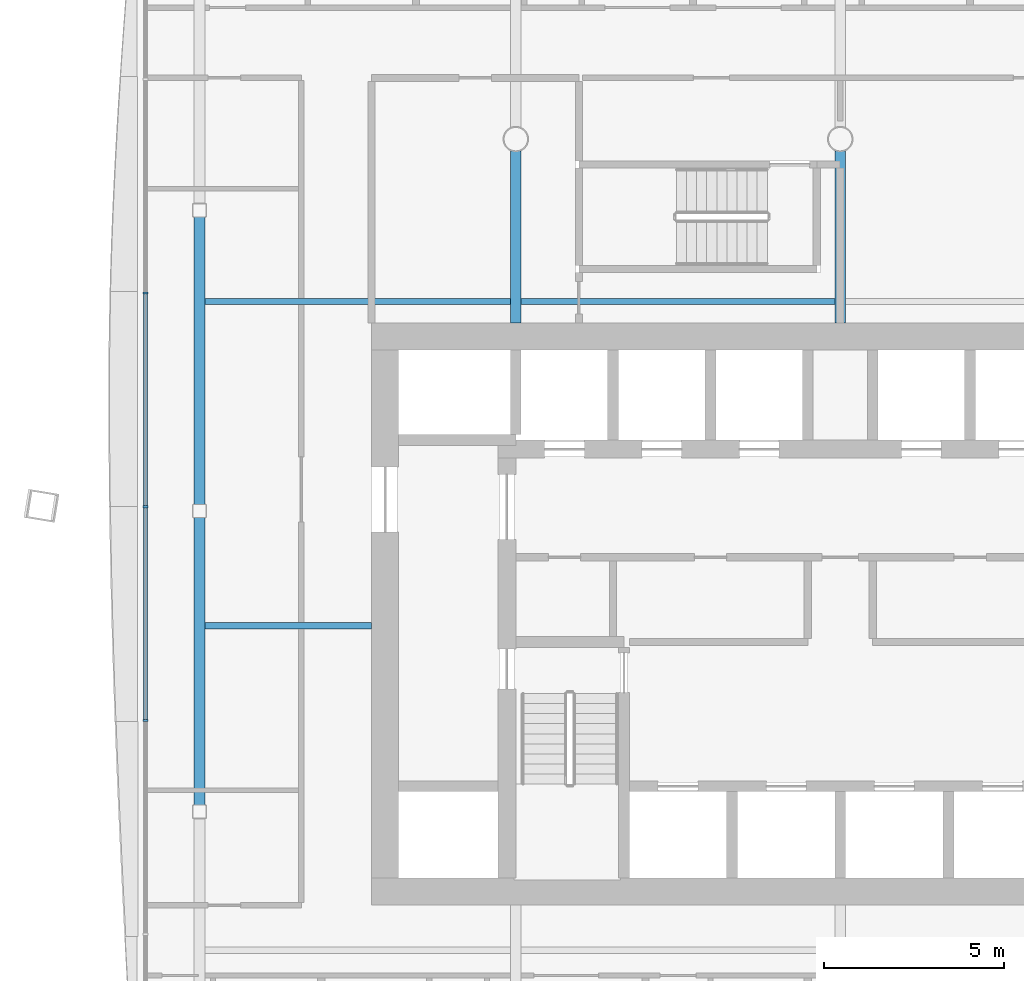
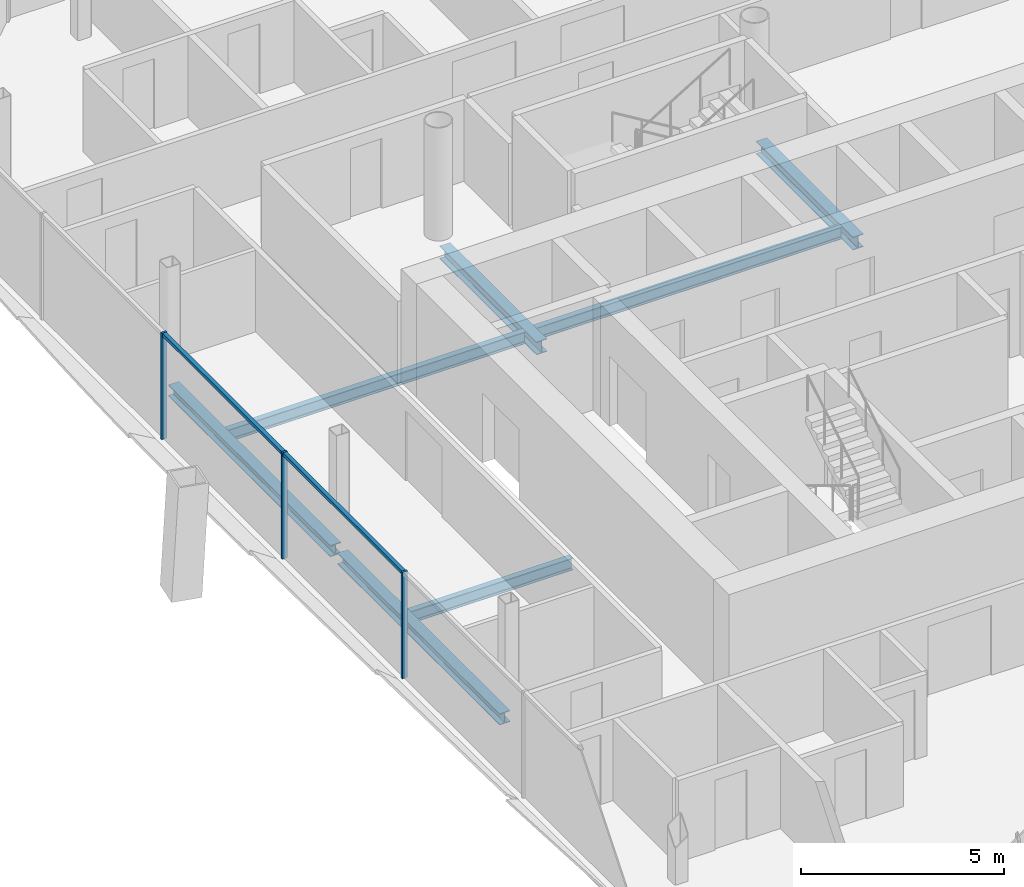
# One storey, part 5 of 18: 7 beams, 5 members, 1 element without a shape of its own.
"""IFC4 building model written with IfcOpenShell, lengths in metres."""

from ifc_helpers import new_model, si_unit, direction, frame, origin, origin_2d, place, context, subcontext, project, spatial, rectangle, i_section, extrude, material, material_profile, profile_set, type_object, element, aggregate, save


model = new_model("IFC4")

# Units and contexts
model_context = context("Model", 3, precision=1e-05, world=origin(), true_north=direction((0.0, 1.0)))
body_context = subcontext(model_context, "Body", "Model", "MODEL_VIEW")
ifc_project = project(units=[si_unit("LENGTHUNIT", "METRE"), si_unit("AREAUNIT", "SQUARE_METRE"), si_unit("VOLUMEUNIT", "CUBIC_METRE"), si_unit("PLANEANGLEUNIT", "RADIAN"), si_unit("MASSUNIT", "GRAM", prefix="KILO")], contexts=[model_context])

# Site, building, storey
site_placement = place(None, origin())
site = spatial("IfcSite", under=ifc_project, at=site_placement, CompositionType="ELEMENT")
building_placement = place(site_placement, origin())
building = spatial("IfcBuilding", under=site, at=building_placement, Name="Tskaro Facet Tower", CompositionType="ELEMENT")
storey_placement = place(building_placement, frame((0.0, 0.0, 145.300048828125)))
storey = spatial("IfcBuildingStorey", under=building, at=storey_placement, Name="L35", CompositionType="ELEMENT", Elevation=145.300048828125)

# Curtain wall, members
ifc_material_1 = material(Name="Bronze anodised aluminium 6063-T6", Category="aluminium")
curtain_wall_type = type_object("IfcCurtainWallType", Name="Bronze hotel curtain wall (FW2)", PredefinedType="NOTDEFINED", material=ifc_material_1)
curtain_wall_placement = place(storey_placement, origin())
curtain_wall = element("IfcCurtainWall", 1, at=curtain_wall_placement, inside=storey, type_object=curtain_wall_type, Name="FW2 west facet L35", PredefinedType="NOTDEFINED")
ifc_material_profile_1 = material_profile(ifc_material_1, rectangle(XDim=0.06005859375, YDim=0.14990234375, at=origin_2d()), Name="Mullion 60x150")
ifc_profile_set_1 = profile_set([ifc_material_profile_1], Name="Bronze anodised aluminium 6063-T6")
member_type_1 = type_object("IfcMemberType", Name="FW2 bronze mullion 60x150", PredefinedType="MULLION", material=ifc_profile_set_1)
member_1_placement = place(storey_placement, frame((-19.27197265625, 4.733642578125, 0.0), z_axis=(0.0, 0.0, 1.0), x_axis=(0.0, -1.0, 0.0)))
member_1 = element("IfcMember", 2, at=member_1_placement, type_object=member_type_1, Name="FW2 west mullion 2", PredefinedType="MULLION", context=body_context, shape_type="SweptSolid", body=[
    extrude(rectangle(XDim=0.06005859375, YDim=0.14990234375, at=origin_2d()), origin(), (0.0, 0.0, 1.0), 3.199951171875),
])
member_2_placement = place(storey_placement, frame((-19.27197265625, -1.195556640625, 0.0), z_axis=(0.0, 0.0, 1.0), x_axis=(0.0, -1.0, 0.0)))
member_2 = element("IfcMember", 3, at=member_2_placement, type_object=member_type_1, Name="FW2 west mullion 3", PredefinedType="MULLION", context=body_context, shape_type="SweptSolid", body=[
    extrude(rectangle(XDim=0.06005859375, YDim=0.14990234375, at=origin_2d()), origin(), (0.0, 0.0, 1.0), 3.199951171875),
])
member_3_placement = place(storey_placement, frame((-19.27197265625, -7.124755859375, 0.0), z_axis=(0.0, 0.0, 1.0), x_axis=(0.0, -1.0, 0.0)))
member_3 = element("IfcMember", 4, at=member_3_placement, type_object=member_type_1, Name="FW2 west mullion 4", PredefinedType="MULLION", context=body_context, shape_type="SweptSolid", body=[
    extrude(rectangle(XDim=0.06005859375, YDim=0.14990234375, at=origin_2d()), origin(), (0.0, 0.0, 1.0), 3.199951171875),
])
ifc_material_profile_2 = material_profile(ifc_material_1, rectangle(XDim=0.110107421875, YDim=0.10009765625, at=origin_2d()), Name="Transom 110x100")
ifc_profile_set_2 = profile_set([ifc_material_profile_2], Name="Bronze anodised aluminium 6063-T6")
member_type_2 = type_object("IfcMemberType", Name="FW2 bronze transom 110x100", PredefinedType="USERDEFINED", material=ifc_profile_set_2)
member_4_placement = place(storey_placement, frame((-19.27197265625, 4.70361328125, 3.14990234375), z_axis=(0.0, -1.0, 0.0), x_axis=(1.0, 0.0, 0.0)))
member_4 = element("IfcMember", 5, at=member_4_placement, type_object=member_type_2, Name="FW2 west transom 3.1", ObjectType="TRANSOM", PredefinedType="USERDEFINED", context=body_context, shape_type="SweptSolid", body=[
    extrude(rectangle(XDim=0.110107421875, YDim=0.10009765625, at=origin_2d()), origin(), (0.0, 0.0, 1.0), 5.869140625),
])
member_5_placement = place(storey_placement, frame((-19.27197265625, -1.2255859375, 3.14990234375), z_axis=(0.0, -1.0, 0.0), x_axis=(1.0, 0.0, 0.0)))
member_5 = element("IfcMember", 6, at=member_5_placement, type_object=member_type_2, Name="FW2 west transom 4.1", ObjectType="TRANSOM", PredefinedType="USERDEFINED", context=body_context, shape_type="SweptSolid", body=[
    extrude(rectangle(XDim=0.110107421875, YDim=0.10009765625, at=origin_2d()), origin(), (0.0, 0.0, 1.0), 5.869140625),
])
aggregate(curtain_wall, [member_1, member_2, member_3, member_4, member_5])

# Beams
ifc_material_2 = material(Name="Steel S355J2", Category="steel")
ifc_material_profile_3 = material_profile(ifc_material_2, i_section(OverallWidth=0.300048828125, OverallDepth=0.340087890625, WebThickness=0.011962890625, FlangeThickness=0.021484375, FilletRadius=0.027099609375, at=origin_2d()), Name="HE 340 B")
ifc_profile_set_3 = profile_set([ifc_material_profile_3], Name="Steel S355J2")
beam_type_1 = type_object("IfcBeamType", Name="HE 340 B ring beam", PredefinedType="BEAM", material=ifc_profile_set_3)
beam_1_placement = place(storey_placement, frame((-17.77392578125, 6.845947265625, -0.31005859375), z_axis=(0.0, -1.0, 0.0), x_axis=(1.0, 0.0, 0.0)))
element("IfcBeam", 7, at=beam_1_placement, inside=storey, type_object=beam_type_1, Name="HE 340 B EB17-3", PredefinedType="BEAM", context=body_context, shape_type="SweptSolid", body=[
    extrude(i_section(OverallWidth=0.300048828125, OverallDepth=0.340087890625, WebThickness=0.011962890625, FlangeThickness=0.021484375, FilletRadius=0.027099609375, at=origin_2d()), origin(), (0.0, 0.0, 1.0), 7.98095703125),
])
beam_2_placement = place(storey_placement, frame((-17.77392578125, -1.4951171875, -0.31005859375), z_axis=(0.0, -1.0, 0.0), x_axis=(1.0, 0.0, 0.0)))
element("IfcBeam", 8, at=beam_2_placement, inside=storey, type_object=beam_type_1, Name="HE 340 B EB18-3", PredefinedType="BEAM", context=body_context, shape_type="SweptSolid", body=[
    extrude(i_section(OverallWidth=0.300048828125, OverallDepth=0.340087890625, WebThickness=0.011962890625, FlangeThickness=0.021484375, FilletRadius=0.027099609375, at=origin_2d()), origin(), (0.0, 0.0, 1.0), 7.98193359375),
])
ifc_material_profile_4 = material_profile(ifc_material_2, i_section(OverallWidth=0.300048828125, OverallDepth=0.389892578125, WebThickness=0.010986328125, FlangeThickness=0.01904296875, FilletRadius=0.027099609375, at=origin_2d()), Name="HE 400 A")
ifc_profile_set_4 = profile_set([ifc_material_profile_4], Name="Steel S355J2")
beam_type_2 = type_object("IfcBeamType", Name="HE 400 A girder", PredefinedType="BEAM", material=ifc_profile_set_4)
for number, where, z_axis, x_axis, name in (
    (9, (-9.0, 3.89990234375, -0.3349609375), (0.0, 1.0, 0.0), (-1.0, 0.0, 0.0), "HE 400 A GB3-2-3"),
    (10, (0.0, 3.89990234375, -0.3349609375), (0.0, 1.0, 0.0), (-1.0, 0.0, 0.0), "HE 400 A GB4-2-3"),
):
    element("IfcBeam", number, at=place(storey_placement, frame(where, z_axis=z_axis, x_axis=x_axis)), inside=storey, type_object=beam_type_2, Name=name, PredefinedType="BEAM", context=body_context, shape_type="SweptSolid", body=[
        extrude(i_section(OverallWidth=0.300048828125, OverallDepth=0.389892578125, WebThickness=0.010986328125, FlangeThickness=0.01904296875, FilletRadius=0.027099609375, at=origin_2d()), origin(), (0.0, 0.0, 1.0), 4.774658203125),
    ])
ifc_material_profile_5 = material_profile(ifc_material_2, i_section(OverallWidth=0.169921875, OverallDepth=0.360107421875, WebThickness=0.008056640625, FlangeThickness=0.0126953125, FilletRadius=0.01806640625, at=origin_2d()), Name="IPE 360")
ifc_profile_set_5 = profile_set([ifc_material_profile_5], Name="Steel S355J2")
beam_type_3 = type_object("IfcBeamType", Name="IPE 360 secondary beam", PredefinedType="BEAM", material=ifc_profile_set_5)
beam_3_placement = place(storey_placement, frame((-17.6240234375, -4.5, -0.320068359375), z_axis=(1.0, 0.0, 0.0), x_axis=(0.0, 1.0, 0.0)))
element("IfcBeam", 11, at=beam_3_placement, inside=storey, type_object=beam_type_3, Name="IPE 360 SB3a-1-3", PredefinedType="BEAM", context=body_context, shape_type="SweptSolid", body=[
    extrude(i_section(OverallWidth=0.169921875, OverallDepth=0.360107421875, WebThickness=0.008056640625, FlangeThickness=0.0126953125, FilletRadius=0.01806640625, at=origin_2d()), origin(), (0.0, 0.0, 1.0), 4.6240234375),
])
beam_4_placement = place(storey_placement, frame((-17.6240234375, 4.5, -0.320068359375), z_axis=(1.0, 0.0, 0.0), x_axis=(0.0, 1.0, 0.0)))
element("IfcBeam", 12, at=beam_4_placement, inside=storey, type_object=beam_type_3, Name="IPE 360 SB4a-1-3", PredefinedType="BEAM", context=body_context, shape_type="SweptSolid", body=[
    extrude(i_section(OverallWidth=0.169921875, OverallDepth=0.360107421875, WebThickness=0.008056640625, FlangeThickness=0.0126953125, FilletRadius=0.01806640625, at=origin_2d()), origin(), (0.0, 0.0, 1.0), 8.47412109375),
])
beam_5_placement = place(storey_placement, frame((-8.85009765625, 4.5, -0.320068359375), z_axis=(1.0, 0.0, 0.0), x_axis=(0.0, 1.0, 0.0)))
element("IfcBeam", 13, at=beam_5_placement, inside=storey, type_object=beam_type_3, Name="IPE 360 SB4a-2-3", PredefinedType="BEAM", context=body_context, shape_type="SweptSolid", body=[
    extrude(i_section(OverallWidth=0.169921875, OverallDepth=0.360107421875, WebThickness=0.008056640625, FlangeThickness=0.0126953125, FilletRadius=0.01806640625, at=origin_2d()), origin(), (0.0, 0.0, 1.0), 8.7001953125),
])

save(model, "model.ifc")
